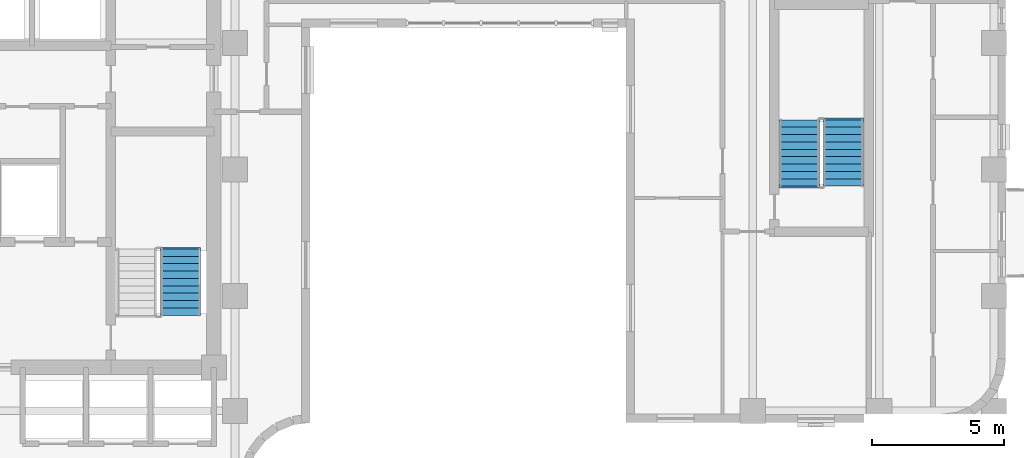
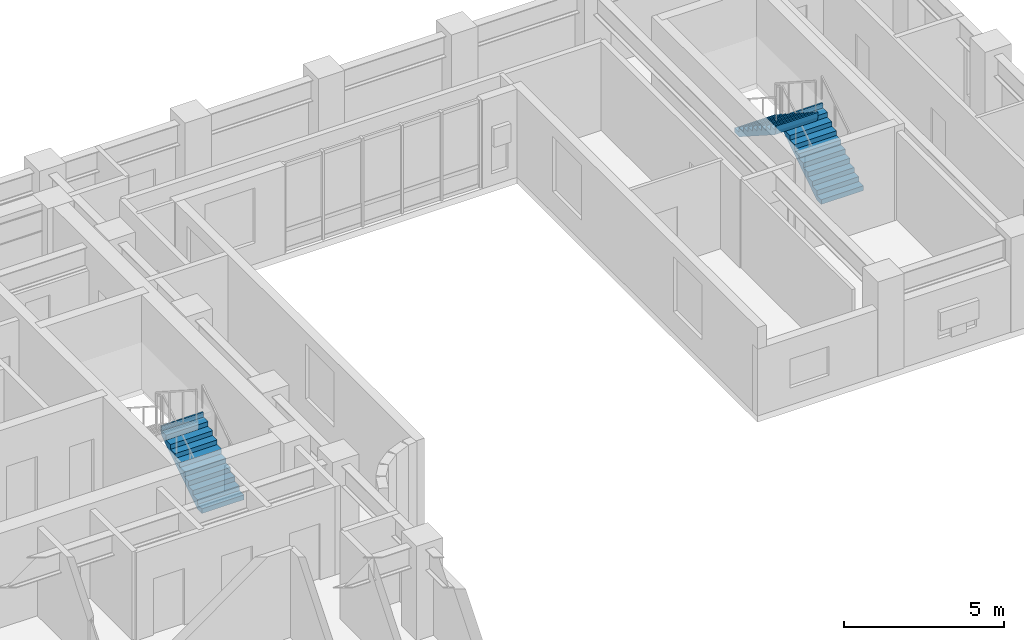
# One storey, part 8 of 11: 3 stair flights, 2 elements without a shape of their own.
"""IFC4 building model written with IfcOpenShell, lengths in metres."""

from ifc_helpers import new_model, si_unit, direction, frame, origin, place, context, subcontext, project, spatial, polyline, outline, extrude, material, type_object, element, aggregate, save


model = new_model("IFC4")

# Units and contexts
model_context = context("Model", 3, precision=1e-05, world=origin(), true_north=direction((0.0, 1.0)))
body_context = subcontext(model_context, "Body", "Model", "MODEL_VIEW")
ifc_project = project(units=[si_unit("LENGTHUNIT", "METRE"), si_unit("AREAUNIT", "SQUARE_METRE"), si_unit("VOLUMEUNIT", "CUBIC_METRE"), si_unit("PLANEANGLEUNIT", "RADIAN"), si_unit("MASSUNIT", "GRAM", prefix="KILO")], contexts=[model_context])

# Site, building, storey
site_placement = place(None, origin())
site = spatial("IfcSite", under=ifc_project, at=site_placement, CompositionType="ELEMENT")
building_placement = place(site_placement, origin())
building = spatial("IfcBuilding", under=site, at=building_placement, Name="Orvandelia Arch Residences", CompositionType="ELEMENT")
storey_placement = place(building_placement, frame((0.0, 0.0, 161.199951171875)))
storey = spatial("IfcBuildingStorey", under=building, at=storey_placement, Name="L42", CompositionType="ELEMENT", Elevation=161.199951171875)

# Stair, stair flight
ifc_material = material(Name="Concrete C40/50", Category="concrete")
stair_type = type_object("IfcStairType", Name="STAIR-RC-DOGLEG", PredefinedType="HALF_TURN_STAIR", material=ifc_material)
stair_1_placement = place(storey_placement, origin())
stair_1 = element("IfcStair", 1, at=stair_1_placement, inside=storey, type_object=stair_type, Name="L42 Protected Exit Stair ST-2", PredefinedType="HALF_TURN_STAIR")
stair_flight_type = type_object("IfcStairFlightType", Name="STFLT-RC-1520", PredefinedType="STRAIGHT", material=ifc_material)
stair_flight_1_placement = place(storey_placement, frame((21.489990234375, 32.8701171875, 0.0), z_axis=(0.0, 0.0, 1.0), x_axis=(0.0, 1.0, 0.0)))
stair_flight_1 = element("IfcStairFlight", 2, at=stair_flight_1_placement, type_object=stair_flight_type, Name="ST-2 flight 1", NumberOfRisers=10, NumberOfTreads=9, PredefinedType="STRAIGHT", RiserHeight=0.18, TreadLength=0.28, context=body_context, shape_type="SweptSolid", body=[
    extrude(outline(polyline([(0.0, 0.0), (0.0, 0.179931640625), (0.280029296875, 0.179931640625), (0.280029296875, 0.360107421875), (0.56005859375, 0.360107421875), (0.56005859375, 0.5400390625), (0.840087890625, 0.5400390625), (0.840087890625, 0.719970703125), (1.1201171875, 0.719970703125), (1.1201171875, 0.89990234375), (1.39990234375, 0.89990234375), (1.39990234375, 1.080078125), (1.679931640625, 1.080078125), (1.679931640625, 1.260009765625), (1.9599609375, 1.260009765625), (1.9599609375, 1.43994140625), (2.239990234375, 1.43994140625), (2.239990234375, 1.6201171875), (2.52001953125, 1.6201171875), (2.52001953125, 1.800048828125), (2.580078125, 1.800048828125), (2.580078125, 1.6201171875), (2.52001953125, 1.44189453125), (0.277099609375, 0.0), (0.0, 0.0)])), frame((0.0, 0.760009765625, 0.0), z_axis=(0.0, -1.0, 0.0), x_axis=(1.0, 0.0, 0.0)), (0.0, 0.0, 1.0), 1.52001953125),
])
aggregate(stair_1, [stair_flight_1])

# Stair, stair flights
stair_2_placement = place(storey_placement, origin())
stair_2 = element("IfcStair", 3, at=stair_2_placement, inside=storey, type_object=stair_type, Name="L42 East Wing Exit Stair ST-3", PredefinedType="HALF_TURN_STAIR")
stair_flight_2_placement = place(storey_placement, frame((46.639892578125, 37.77001953125, 0.0), z_axis=(0.0, 0.0, 1.0), x_axis=(0.0, 1.0, 0.0)))
stair_flight_2 = element("IfcStairFlight", 4, at=stair_flight_2_placement, type_object=stair_flight_type, Name="ST-3 flight 1", NumberOfRisers=10, NumberOfTreads=9, PredefinedType="STRAIGHT", RiserHeight=0.18, TreadLength=0.28, context=body_context, shape_type="SweptSolid", body=[
    extrude(outline(polyline([(0.0, 0.0), (0.0, 0.179931640625), (0.280029296875, 0.179931640625), (0.280029296875, 0.360107421875), (0.56005859375, 0.360107421875), (0.56005859375, 0.5400390625), (0.840087890625, 0.5400390625), (0.840087890625, 0.719970703125), (1.1201171875, 0.719970703125), (1.1201171875, 0.89990234375), (1.39990234375, 0.89990234375), (1.39990234375, 1.080078125), (1.679931640625, 1.080078125), (1.679931640625, 1.260009765625), (1.9599609375, 1.260009765625), (1.9599609375, 1.43994140625), (2.239990234375, 1.43994140625), (2.239990234375, 1.6201171875), (2.52001953125, 1.6201171875), (2.52001953125, 1.800048828125), (2.580078125, 1.800048828125), (2.580078125, 1.6201171875), (2.52001953125, 1.44189453125), (0.277099609375, 0.0), (0.0, 0.0)])), frame((0.0, 0.760009765625, 0.0), z_axis=(0.0, -1.0, 0.0), x_axis=(1.0, 0.0, 0.0)), (0.0, 0.0, 1.0), 1.52001953125),
])
stair_flight_3_placement = place(storey_placement, frame((44.969970703125, 40.2900390625, 1.800048828125), z_axis=(0.0, 0.0, 1.0), x_axis=(0.0, -1.0, 0.0)))
stair_flight_3 = element("IfcStairFlight", 5, at=stair_flight_3_placement, type_object=stair_flight_type, Name="ST-3 flight 2", NumberOfRisers=10, NumberOfTreads=9, PredefinedType="STRAIGHT", RiserHeight=0.18, TreadLength=0.28, context=body_context, shape_type="SweptSolid", body=[
    extrude(outline(polyline([(0.0, 0.0), (0.0, 0.179931640625), (0.280029296875, 0.179931640625), (0.280029296875, 0.360107421875), (0.56005859375, 0.360107421875), (0.56005859375, 0.5400390625), (0.840087890625, 0.5400390625), (0.840087890625, 0.719970703125), (1.1201171875, 0.719970703125), (1.1201171875, 0.89990234375), (1.39990234375, 0.89990234375), (1.39990234375, 1.080078125), (1.679931640625, 1.080078125), (1.679931640625, 1.260009765625), (1.9599609375, 1.260009765625), (1.9599609375, 1.43994140625), (2.239990234375, 1.43994140625), (2.239990234375, 1.6201171875), (2.52001953125, 1.6201171875), (2.52001953125, 1.800048828125), (2.580078125, 1.800048828125), (2.580078125, 1.6201171875), (2.52001953125, 1.44189453125), (0.277099609375, 0.0), (0.0, 0.0)])), frame((0.0, 0.760009765625, 0.0), z_axis=(0.0, -1.0, 0.0), x_axis=(1.0, 0.0, 0.0)), (0.0, 0.0, 1.0), 1.52001953125),
])
aggregate(stair_2, [stair_flight_2, stair_flight_3])

save(model, "model.ifc")
